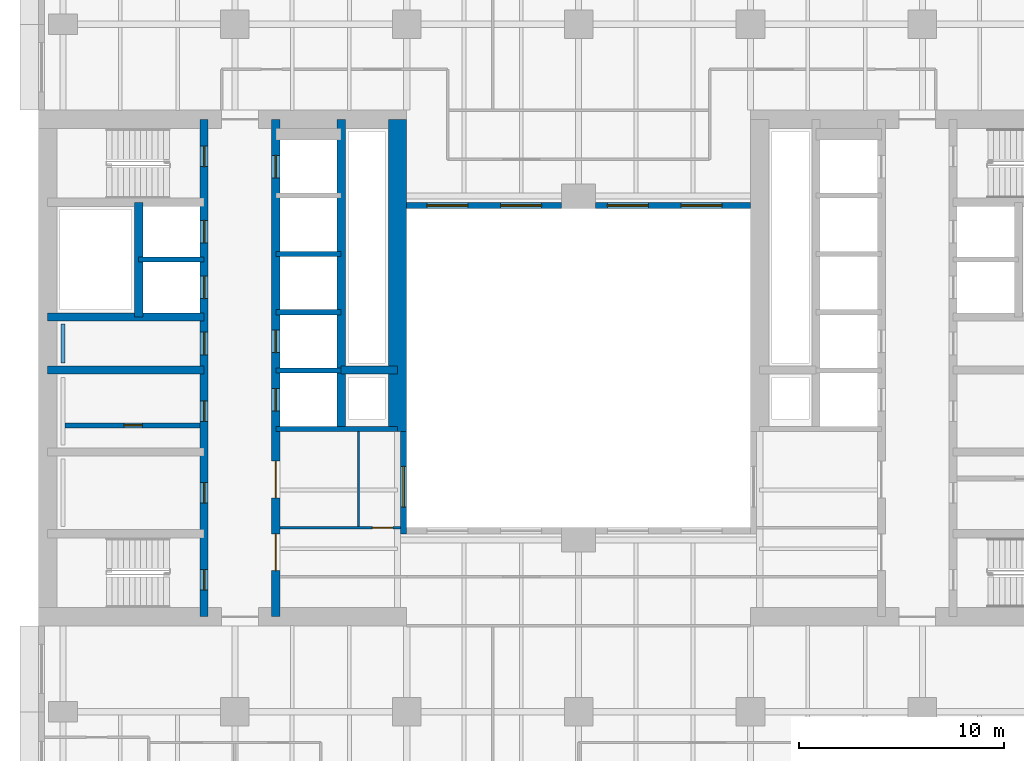
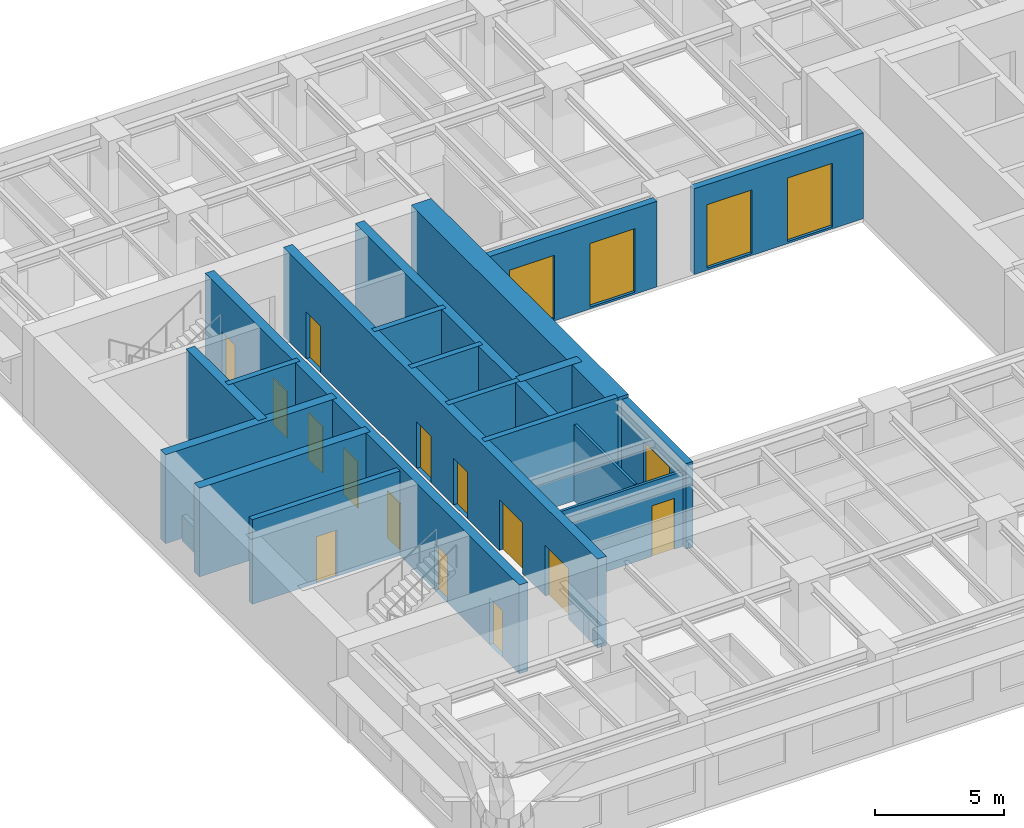
# One storey, part 4 of 11: 20 walls, 14 doors, 5 windows, 19 openings.
"""IFC4 building model written with IfcOpenShell, lengths in metres."""

import ifcopenshell
import ifcopenshell.guid

model = None  # the IFC model being written
_history = None  # IfcOwnerHistory: only IFC2X3 demands one
_inside = {}  # id of a spatial element -> (the spatial element, [elements in it])
_under = {}  # id of a project, library or spatial element -> (it, [spatial elements below it])
_declared = {}  # id of a project -> (the project, [libraries it declares])
_typed = {}  # id of a type object -> (the type object, [elements of that type])
_made_of = {}  # id of a material, layer set ... -> (it, [elements and type objects made of it])


def new_model(schema):
    """Start an empty IFC model of exactly this schema.

    Asked for "IFC4X3", IfcOpenShell would pick the latest addendum, in which some entities
    have other attributes; the version numbers below select the first issue.
    IFC2X3 requires an IfcOwnerHistory on every rooted entity: one is made here for all.
    """
    global model, _history
    if schema == "IFC4X3":
        model = ifcopenshell.file(schema_version=(4, 3, 0, 0))
    else:
        model = ifcopenshell.file(schema=schema)
    _inside.clear()
    _under.clear()
    _declared.clear()
    _typed.clear()
    _made_of.clear()
    _history = None
    if model.schema == "IFC2X3":
        org = make("IfcOrganization", Name="unknown")
        user = make(
            "IfcPersonAndOrganization",
            ThePerson=make("IfcPerson", FamilyName="unknown"),
            TheOrganization=org,
        )
        app = make(
            "IfcApplication",
            ApplicationDeveloper=org,
            Version="unknown",
            ApplicationFullName="unknown",
            ApplicationIdentifier="unknown",
        )
        _history = make(
            "IfcOwnerHistory",
            OwningUser=user,
            OwningApplication=app,
            ChangeAction="ADDED",
            CreationDate=0,
        )
    return model


def make(cls, **values):
    """One entity of the class cls with the attributes given. An attribute that is None is left unset."""
    return model.create_entity(
        cls, **{name: value for name, value in values.items() if value is not None}
    )


def rooted(cls, **values):
    """An entity with a GlobalId (a new one), such as an element, a storey or a relation."""
    return make(cls, GlobalId=ifcopenshell.guid.new(), OwnerHistory=_history, **values)


def si_unit(unit_type, name, prefix=None):
    """IfcSIUnit, for example si_unit("LENGTHUNIT", "METRE", prefix="MILLI")."""
    return make("IfcSIUnit", UnitType=unit_type, Prefix=prefix, Name=name)


def assignment(units):
    """IfcUnitAssignment: the units of a project."""
    return None if units is None else make("IfcUnitAssignment", Units=units)


def point(xyz):
    """IfcCartesianPoint."""
    return None if xyz is None else make("IfcCartesianPoint", Coordinates=xyz)


def direction(xyz):
    """IfcDirection."""
    return None if xyz is None else make("IfcDirection", DirectionRatios=xyz)


def frame(location, z_axis=None, x_axis=None):
    """IfcAxis2Placement3D, a coordinate frame: its origin and axes. An axis left out is left unset."""
    return make(
        "IfcAxis2Placement3D",
        Location=point(location),
        Axis=direction(z_axis),
        RefDirection=direction(x_axis),
    )


def frame_2d(location, x_axis=None):
    """IfcAxis2Placement2D, a coordinate frame in the plane: its origin and x axis."""
    return make(
        "IfcAxis2Placement2D", Location=point(location), RefDirection=direction(x_axis)
    )


def origin():
    """The frame at (0, 0, 0) with its axes left unset."""
    return frame((0.0, 0.0, 0.0))


def place(relative_to, where):
    """IfcLocalPlacement: puts the frame where relative to a parent placement (None: the world)."""
    return make(
        "IfcLocalPlacement", PlacementRelTo=relative_to, RelativePlacement=where
    )


def context(
    kind, dimensions, precision=None, world=None, true_north=None, identifier=None
):
    """IfcGeometricRepresentationContext, for example the 3D "Model" context."""
    return make(
        "IfcGeometricRepresentationContext",
        ContextIdentifier=identifier,
        ContextType=kind,
        CoordinateSpaceDimension=dimensions,
        Precision=precision,
        WorldCoordinateSystem=world,
        TrueNorth=true_north,
    )


def subcontext(parent, identifier, kind, view, scale=None):
    """IfcGeometricRepresentationSubContext, for example "Body" below "Model"."""
    return make(
        "IfcGeometricRepresentationSubContext",
        ContextIdentifier=identifier,
        ContextType=kind,
        ParentContext=parent,
        TargetScale=scale,
        TargetView=view,
    )


def project(units=None, contexts=None):
    """IfcProject with its units and contexts."""
    return rooted(
        "IfcProject",
        Name="project",
        RepresentationContexts=contexts,
        UnitsInContext=assignment(units),
    )


def spatial(cls, under=None, at=None, **own):
    """A site, building, storey or space (cls), placed at a placement, below another one or the project."""
    s = rooted(cls, ObjectPlacement=at, **own)
    if under is not None:
        _under.setdefault(under.id(), (under, []))[1].append(s)
    return s


def profile(cls, at=None, kind="AREA", **sizes):
    """A parametric profile (cls). Its sizes go by their IFC names, for example OverallWidth=200.0."""
    return make(cls, ProfileType=kind, Position=at, **sizes)


def rectangle(**sizes):
    """IfcRectangleProfileDef."""
    return profile("IfcRectangleProfileDef", **sizes)


def extrude(swept, where, along, depth):
    """IfcExtrudedAreaSolid: the profile swept, set in the frame where, extruded along a direction by depth."""
    return make(
        "IfcExtrudedAreaSolid",
        SweptArea=swept,
        Position=where,
        ExtrudedDirection=direction(along),
        Depth=depth,
    )


def shape(context_of_items, identifier, shape_type, items):
    """IfcShapeRepresentation: the items that make up one representation, for example the "Body"."""
    return make(
        "IfcShapeRepresentation",
        ContextOfItems=context_of_items,
        RepresentationIdentifier=identifier,
        RepresentationType=shape_type,
        Items=items,
    )


def material(Name=None, Category=None):
    """IfcMaterial."""
    return make("IfcMaterial", Name=Name, Category=Category)


def layer(
    of_material, thickness, ventilated=None, Name=None, Category=None, Priority=None
):
    """IfcMaterialLayer: one layer of a wall or slab, of a material (None: an air gap)."""
    return make(
        "IfcMaterialLayer",
        Material=of_material,
        LayerThickness=thickness,
        IsVentilated=ventilated,
        Name=Name,
        Category=Category,
        Priority=Priority,
    )


def layer_set(layers, Name=None):
    """IfcMaterialLayerSet."""
    return make("IfcMaterialLayerSet", MaterialLayers=layers, LayerSetName=Name)


def made_of(thing, what):
    """Note that an element or type object is made of a material, layer set ...; save() writes the relation."""
    if what is not None:
        _made_of.setdefault(what.id(), (what, []))[1].append(thing)
    return thing


def type_object(cls, material=None, **own):
    """A type object (cls), such as IfcWallType, which elements share."""
    return made_of(rooted(cls, **own), material)


def element(
    cls,
    number,
    at=None,
    inside=None,
    cuts=None,
    type_object=None,
    material=None,
    context=None,
    identifier="Body",
    shape_type=None,
    held_by="IfcProductDefinitionShape",
    body=None,
    shapes=None,
    **own,
):
    """One element of the class cls, such as IfcWall. Its Tag is "e" and its number.

    at: its placement. inside: the storey or other place that contains it. cuts: it is an
    opening in that element (IfcRelVoidsElement). A single representation is given by context,
    identifier, shape_type and body (its items); several are given by shapes. held_by: the class
    of the entity that holds the representations. save() writes the other relations.
    """
    e = rooted(cls, Tag="e%d" % number, ObjectPlacement=at, **own)
    if body is not None:
        shapes = [shape(context, identifier, shape_type, body)]
    if shapes is not None:
        e.Representation = make(held_by, Representations=shapes)
    if inside is not None:
        _inside.setdefault(inside.id(), (inside, []))[1].append(e)
    if cuts is not None:
        rooted(
            "IfcRelVoidsElement", RelatingBuildingElement=cuts, RelatedOpeningElement=e
        )
    if type_object is not None:
        _typed.setdefault(type_object.id(), (type_object, []))[1].append(e)
    return made_of(e, material)


def fill(opening, filler):
    """IfcRelFillsElement: the door or window that sits in an opening."""
    return rooted(
        "IfcRelFillsElement",
        RelatingOpeningElement=opening,
        RelatedBuildingElement=filler,
    )


def aggregate(whole, parts):
    """IfcRelAggregates: a whole, such as a stair, and the parts it consists of."""
    return rooted("IfcRelAggregates", RelatingObject=whole, RelatedObjects=parts)


def save(model, path):
    """Write the relations noted so far, then the file.

    IfcRelAggregates (storeys below a building ...), IfcRelContainedInSpatialStructure (elements
    in a storey), IfcRelDefinesByType, IfcRelAssociatesMaterial and IfcRelDeclares: one each for
    every whole, place, type object, material and project.
    """
    for whole, parts in _under.values():
        aggregate(whole, parts)
    for where, things in _inside.values():
        rooted(
            "IfcRelContainedInSpatialStructure",
            RelatedElements=things,
            RelatingStructure=where,
        )
    for kind, things in _typed.values():
        rooted("IfcRelDefinesByType", RelatedObjects=things, RelatingType=kind)
    for what, things in _made_of.values():
        rooted("IfcRelAssociatesMaterial", RelatedObjects=things, RelatingMaterial=what)
    for by, libraries in _declared.values():
        rooted("IfcRelDeclares", RelatingContext=by, RelatedDefinitions=libraries)
    model.write(path)


model = new_model("IFC4")

# Units and contexts
model_context = context("Model", 3, precision=1e-05, world=origin(), true_north=direction((0.0, 1.0)))
body_context = subcontext(model_context, "Body", "Model", "MODEL_VIEW")
ifc_project = project(units=[si_unit("LENGTHUNIT", "METRE"), si_unit("AREAUNIT", "SQUARE_METRE"), si_unit("VOLUMEUNIT", "CUBIC_METRE"), si_unit("PLANEANGLEUNIT", "RADIAN"), si_unit("MASSUNIT", "GRAM", prefix="KILO")], contexts=[model_context])

# Site, building, storey
site_placement = place(None, origin())
site = spatial("IfcSite", under=ifc_project, at=site_placement, CompositionType="ELEMENT")
building_placement = place(site_placement, origin())
building = spatial("IfcBuilding", under=site, at=building_placement, Name="Claustro Exchange Tower", CompositionType="ELEMENT")
storey_placement = place(building_placement, frame((0.0, 0.0, 147.0)))
storey = spatial("IfcBuildingStorey", under=building, at=storey_placement, Name="L33", CompositionType="ELEMENT", Elevation=147.0)

# Wall, opening, door
ifc_material_1 = material(Name="Laminated glass in aluminium frame", Category="aluminium")
ifc_layer_1 = layer(ifc_material_1, 0.1201171875)
ifc_layer_set_1 = layer_set([ifc_layer_1], Name="Laminated glass in aluminium frame")
wall_type_1 = type_object("IfcWallType", Name="P2 120 glazed partition", PredefinedType="PARTITIONING", material=ifc_layer_set_1)
wall_1_placement = place(storey_placement, frame((10.597900390625, 17.39990234375, 0.0), z_axis=(0.0, 0.0, 1.0), x_axis=(1.0, 0.0, 0.0)))
wall_1 = element("IfcWall", 1, at=wall_1_placement, inside=storey, type_object=wall_type_1, Name="Partition P2 L33", PredefinedType="PARTITIONING", context=body_context, shape_type="SweptSolid", body=[
    extrude(rectangle(XDim=5.904052734375, YDim=0.1201171875, at=frame_2d((2.9521484375, 0.0))), origin(), (0.0, 0.0, 1.0), 3.550048828125),
])
opening_1_placement = place(wall_1_placement, frame((4.52392578125, 0.0, 0.0)))
opening_1 = element("IfcOpeningElement", 2, at=opening_1_placement, cuts=wall_1, Name="Opening D7", PredefinedType="OPENING", context=body_context, shape_type="SweptSolid", body=[
    extrude(rectangle(XDim=1.0, YDim=2.39990234375, at=frame_2d((0.5, 1.199951171875))), frame((0.0, 0.070068359375, 0.0), z_axis=(0.0, -1.0, 0.0), x_axis=(1.0, 0.0, 0.0)), (0.0, 0.0, 1.0), 0.14013671875),
])
ifc_material_2 = material(Name="Glass door in aluminium frame", Category="aluminium")
door_type_1 = type_object("IfcDoorType", Name="D7 1000 x 2400 glazed door", OperationType="SINGLE_SWING_LEFT", PredefinedType="DOOR", material=ifc_material_2)
door_1_placement = place(opening_1_placement, origin())
door_1 = element("IfcDoor", 3, at=door_1_placement, inside=storey, type_object=door_type_1, Name="Door D7 L33", OperationType="SINGLE_SWING_LEFT", OverallHeight=2.39990234375, OverallWidth=1.0, PredefinedType="DOOR", context=body_context, shape_type="SweptSolid", body=[
    extrude(rectangle(XDim=1.0, YDim=2.39990234375, at=frame_2d((0.5, 1.199951171875))), frame((0.0, 0.02490234375, 0.0), z_axis=(0.0, -1.0, 0.0), x_axis=(1.0, 0.0, 0.0)), (0.0, 0.0, 1.0), 0.050048828125),
])
fill(opening_1, door_1)

# Wall
wall_2_placement = place(storey_placement, frame((14.444091796875, 17.4580078125, 0.0), z_axis=(0.0, 0.0, 1.0), x_axis=(0.0, 1.0, 0.0)))
element("IfcWall", 4, at=wall_2_placement, inside=storey, type_object=wall_type_1, Name="Partition P2 L33", PredefinedType="PARTITIONING", context=body_context, shape_type="SweptSolid", body=[
    extrude(rectangle(XDim=4.64404296875, YDim=0.1201171875, at=frame_2d((2.322021484375, 0.0))), origin(), (0.0, 0.0, 1.0), 3.60009765625),
])

# Wall, opening, door
ifc_material_3 = material(Name="Concrete blockwork, rendered", Category="masonry")
ifc_layer_2 = layer(ifc_material_3, 0.25)
ifc_layer_set_2 = layer_set([ifc_layer_2], Name="Concrete blockwork, rendered")
wall_type_2 = type_object("IfcWallType", Name="P4 250 blockwork wall", PredefinedType="PARTITIONING", material=ifc_layer_set_2)
wall_3_placement = place(storey_placement, frame((0.10009765625, 22.39990234375, 0.0), z_axis=(0.0, 0.0, 1.0), x_axis=(1.0, 0.0, 0.0)))
wall_3 = element("IfcWall", 5, at=wall_3_placement, inside=storey, type_object=wall_type_2, Name="Partition P4 L33", PredefinedType="PARTITIONING", context=body_context, shape_type="SweptSolid", body=[
    extrude(rectangle(XDim=6.599853515625, YDim=0.25, at=frame_2d((3.2998046875, 0.0))), origin(), (0.0, 0.0, 1.0), 4.0),
])
opening_2_placement = place(wall_3_placement, frame((2.875, 0.0, 0.0)))
opening_2 = element("IfcOpeningElement", 6, at=opening_2_placement, cuts=wall_3, Name="Opening D5", PredefinedType="OPENING", context=body_context, shape_type="SweptSolid", body=[
    extrude(rectangle(XDim=0.89990234375, YDim=2.199951171875, at=frame_2d((0.449951171875, 1.10009765625))), frame((0.0, 0.135009765625, 0.0), z_axis=(0.0, -1.0, 0.0), x_axis=(1.0, 0.0, 0.0)), (0.0, 0.0, 1.0), 0.27001953125),
])
ifc_material_4 = material(Name="Steel door, painted", Category="steel")
door_type_2 = type_object("IfcDoorType", Name="D5 900 x 2200 store door", OperationType="SINGLE_SWING_LEFT", PredefinedType="DOOR", material=ifc_material_4)
door_2_placement = place(opening_2_placement, frame((0.89990234375, 0.0, 0.0), z_axis=(0.0, 0.0, 1.0), x_axis=(-1.0, 0.0, 0.0)))
door_2 = element("IfcDoor", 7, at=door_2_placement, inside=storey, type_object=door_type_2, Name="Store door D5 L33", OperationType="SINGLE_SWING_RIGHT", OverallHeight=2.199951171875, OverallWidth=0.89990234375, PredefinedType="DOOR", context=body_context, shape_type="SweptSolid", body=[
    extrude(rectangle(XDim=0.89990234375, YDim=2.199951171875, at=frame_2d((0.449951171875, 1.10009765625))), frame((0.0, 0.02490234375, 0.0), z_axis=(0.0, -1.0, 0.0), x_axis=(1.0, 0.0, 0.0)), (0.0, 0.0, 1.0), 0.050048828125),
])
fill(opening_2, door_2)

# Wall, opening, window
ifc_material_5 = material(Name="Concrete HA-40 (C40/50), precast, white cement, acid-etched", Category="concrete")
ifc_layer_3 = layer(ifc_material_5, 0.300048828125)
ifc_layer_set_3 = layer_set([ifc_layer_3], Name="Concrete HA-40 (C40/50), precast, white cement, acid-etched")
wall_type_3 = type_object("IfcWallType", Name="PC1 300 precast concrete pier panel", PredefinedType="SOLIDWALL", material=ifc_layer_set_3)
wall_4_placement = place(storey_placement, frame((16.64990234375, 17.10009765625, 0.0), z_axis=(0.0, 0.0, 1.0), x_axis=(0.0, 1.0, 0.0)))
wall_4 = element("IfcWall", 8, at=wall_4_placement, inside=storey, type_object=wall_type_3, Name="Precast pier panel PC1 L33", PredefinedType="SOLIDWALL", context=body_context, shape_type="SweptSolid", body=[
    extrude(rectangle(XDim=5.0, YDim=0.300048828125, at=frame_2d((2.5, 0.0))), origin(), (0.0, 0.0, 1.0), 4.050048828125),
])
opening_3_placement = place(wall_4_placement, frame((1.300048828125, 0.0, 0.10009765625)))
opening_3 = element("IfcOpeningElement", 9, at=opening_3_placement, cuts=wall_4, Name="Opening W-A", PredefinedType="OPENING", context=body_context, shape_type="SweptSolid", body=[
    extrude(rectangle(XDim=2.0, YDim=3.0, at=frame_2d((1.0, 1.5))), frame((0.0, 0.159912109375, 0.0), z_axis=(0.0, -1.0, 0.0), x_axis=(1.0, 0.0, 0.0)), (0.0, 0.0, 1.0), 0.320068359375),
])
ifc_material_6 = material(Name="Aluminium frame, clear double glazing", Category="aluminium")
window_type = type_object("IfcWindowType", Name="W-A 2000 x 3000 arcade window", PartitioningType="SINGLE_PANEL", PredefinedType="WINDOW", material=ifc_material_6)
window_1_placement = place(opening_3_placement, origin())
window_1 = element("IfcWindow", 10, at=window_1_placement, inside=storey, type_object=window_type, Name="Window W-A L33", OverallHeight=3.0, OverallWidth=2.0, PartitioningType="SINGLE_PANEL", PredefinedType="WINDOW", context=body_context, shape_type="SweptSolid", body=[
    extrude(rectangle(XDim=2.0, YDim=3.0, at=frame_2d((1.0, 1.5))), frame((0.0, 0.030029296875, 0.0), z_axis=(0.0, -1.0, 0.0), x_axis=(1.0, 0.0, 0.0)), (0.0, 0.0, 1.0), 0.06005859375),
])
fill(opening_3, window_1)

# Wall, openings, windows
wall_5_placement = place(storey_placement, frame((16.800048828125, 33.14990234375, 0.0), z_axis=(0.0, 0.0, 1.0), x_axis=(1.0, 0.0, 0.0)))
wall_5 = element("IfcWall", 11, at=wall_5_placement, inside=storey, type_object=wall_type_3, Name="Precast pier panel PC1 L33", PredefinedType="SOLIDWALL", context=body_context, shape_type="SweptSolid", body=[
    extrude(rectangle(XDim=7.574951171875, YDim=0.300048828125, at=frame_2d((3.78759765625, 0.0))), origin(), (0.0, 0.0, 1.0), 4.050048828125),
])
opening_4_placement = place(wall_5_placement, frame((0.987548828125, 0.0, 0.10009765625)))
opening_4 = element("IfcOpeningElement", 12, at=opening_4_placement, cuts=wall_5, Name="Opening W-A", PredefinedType="OPENING", context=body_context, shape_type="SweptSolid", body=[
    extrude(rectangle(XDim=2.0, YDim=3.0, at=frame_2d((1.0, 1.5))), frame((0.0, 0.159912109375, 0.0), z_axis=(0.0, -1.0, 0.0), x_axis=(1.0, 0.0, 0.0)), (0.0, 0.0, 1.0), 0.320068359375),
])
opening_5_placement = place(wall_5_placement, frame((4.58740234375, 0.0, 0.10009765625)))
opening_5 = element("IfcOpeningElement", 13, at=opening_5_placement, cuts=wall_5, Name="Opening W-A", PredefinedType="OPENING", context=body_context, shape_type="SweptSolid", body=[
    extrude(rectangle(XDim=2.0, YDim=3.0, at=frame_2d((1.0, 1.5))), frame((0.0, 0.159912109375, 0.0), z_axis=(0.0, -1.0, 0.0), x_axis=(1.0, 0.0, 0.0)), (0.0, 0.0, 1.0), 0.320068359375),
])
window_2_placement = place(opening_4_placement, origin())
window_2 = element("IfcWindow", 14, at=window_2_placement, inside=storey, type_object=window_type, Name="Window W-A L33", OverallHeight=3.0, OverallWidth=2.0, PartitioningType="SINGLE_PANEL", PredefinedType="WINDOW", context=body_context, shape_type="SweptSolid", body=[
    extrude(rectangle(XDim=2.0, YDim=3.0, at=frame_2d((1.0, 1.5))), frame((0.0, 0.030029296875, 0.0), z_axis=(0.0, -1.0, 0.0), x_axis=(1.0, 0.0, 0.0)), (0.0, 0.0, 1.0), 0.06005859375),
])
fill(opening_4, window_2)
window_3_placement = place(opening_5_placement, origin())
window_3 = element("IfcWindow", 15, at=window_3_placement, inside=storey, type_object=window_type, Name="Window W-A L33", OverallHeight=3.0, OverallWidth=2.0, PartitioningType="SINGLE_PANEL", PredefinedType="WINDOW", context=body_context, shape_type="SweptSolid", body=[
    extrude(rectangle(XDim=2.0, YDim=3.0, at=frame_2d((1.0, 1.5))), frame((0.0, 0.030029296875, 0.0), z_axis=(0.0, -1.0, 0.0), x_axis=(1.0, 0.0, 0.0)), (0.0, 0.0, 1.0), 0.06005859375),
])
fill(opening_5, window_3)

wall_6_placement = place(storey_placement, frame((26.02490234375, 33.14990234375, 0.0), z_axis=(0.0, 0.0, 1.0), x_axis=(1.0, 0.0, 0.0)))
wall_6 = element("IfcWall", 16, at=wall_6_placement, inside=storey, type_object=wall_type_3, Name="Precast pier panel PC1 L33", PredefinedType="SOLIDWALL", context=body_context, shape_type="SweptSolid", body=[
    extrude(rectangle(XDim=7.5751953125, YDim=0.300048828125, at=frame_2d((3.78759765625, 0.0))), origin(), (0.0, 0.0, 1.0), 4.050048828125),
])
opening_6_placement = place(wall_6_placement, frame((0.58740234375, 0.0, 0.10009765625)))
opening_6 = element("IfcOpeningElement", 17, at=opening_6_placement, cuts=wall_6, Name="Opening W-A", PredefinedType="OPENING", context=body_context, shape_type="SweptSolid", body=[
    extrude(rectangle(XDim=2.0, YDim=3.0, at=frame_2d((1.0, 1.5))), frame((0.0, 0.159912109375, 0.0), z_axis=(0.0, -1.0, 0.0), x_axis=(1.0, 0.0, 0.0)), (0.0, 0.0, 1.0), 0.320068359375),
])
opening_7_placement = place(wall_6_placement, frame((4.1875, 0.0, 0.10009765625)))
opening_7 = element("IfcOpeningElement", 18, at=opening_7_placement, cuts=wall_6, Name="Opening W-A", PredefinedType="OPENING", context=body_context, shape_type="SweptSolid", body=[
    extrude(rectangle(XDim=2.0, YDim=3.0, at=frame_2d((1.0, 1.5))), frame((0.0, 0.159912109375, 0.0), z_axis=(0.0, -1.0, 0.0), x_axis=(1.0, 0.0, 0.0)), (0.0, 0.0, 1.0), 0.320068359375),
])
window_4_placement = place(opening_6_placement, origin())
window_4 = element("IfcWindow", 19, at=window_4_placement, inside=storey, type_object=window_type, Name="Window W-A L33", OverallHeight=3.0, OverallWidth=2.0, PartitioningType="SINGLE_PANEL", PredefinedType="WINDOW", context=body_context, shape_type="SweptSolid", body=[
    extrude(rectangle(XDim=2.0, YDim=3.0, at=frame_2d((1.0, 1.5))), frame((0.0, 0.030029296875, 0.0), z_axis=(0.0, -1.0, 0.0), x_axis=(1.0, 0.0, 0.0)), (0.0, 0.0, 1.0), 0.06005859375),
])
fill(opening_6, window_4)
window_5_placement = place(opening_7_placement, origin())
window_5 = element("IfcWindow", 20, at=window_5_placement, inside=storey, type_object=window_type, Name="Window W-A L33", OverallHeight=3.0, OverallWidth=2.0, PartitioningType="SINGLE_PANEL", PredefinedType="WINDOW", context=body_context, shape_type="SweptSolid", body=[
    extrude(rectangle(XDim=2.0, YDim=3.0, at=frame_2d((1.0, 1.5))), frame((0.0, 0.030029296875, 0.0), z_axis=(0.0, -1.0, 0.0), x_axis=(1.0, 0.0, 0.0)), (0.0, 0.0, 1.0), 0.06005859375),
])
fill(opening_7, window_5)

# Walls
ifc_material_7 = material(Name="Gypsum board on steel studs, tiled", Category="steel")
ifc_layer_4 = layer(ifc_material_7, 0.199951171875)
ifc_layer_set_4 = layer_set([ifc_layer_4], Name="Gypsum board on steel studs, tiled")
wall_type_4 = type_object("IfcWallType", Name="PW1 200 WC duct wall", PredefinedType="PLUMBINGWALL", material=ifc_layer_set_4)
wall_7_placement = place(storey_placement, frame((0.0, 25.449951171875, 0.0), z_axis=(0.0, 0.0, 1.0), x_axis=(0.0, 1.0, 0.0)))
element("IfcWall", 21, at=wall_7_placement, inside=storey, type_object=wall_type_4, Name="WC duct wall PW1 L33", PredefinedType="PLUMBINGWALL", context=body_context, shape_type="SweptSolid", body=[
    extrude(rectangle(XDim=1.900146484375, YDim=0.199951171875, at=frame_2d((0.9501953125, 0.0))), origin(), (0.0, 0.0, 1.0), 1.199951171875),
])
ifc_material_8 = material(Name="Concrete HA-70 (C70/85)", Category="concrete")
ifc_layer_5 = layer(ifc_material_8, 0.89990234375)
ifc_layer_set_5 = layer_set([ifc_layer_5], Name="Concrete HA-70 (C70/85)")
wall_type_5 = type_object("IfcWallType", Name="SW1X 900 exposed core shear wall, board-marked face", PredefinedType="SHEAR", material=ifc_layer_set_5)
wall_8_placement = place(storey_placement, frame((16.35009765625, 22.10009765625, 0.0), z_axis=(0.0, 0.0, 1.0), x_axis=(0.0, 1.0, 0.0)))
element("IfcWall", 22, at=wall_8_placement, inside=storey, type_object=wall_type_5, Name="Core wall SW1X W core E face L33", PredefinedType="SHEAR", context=body_context, shape_type="SweptSolid", body=[
    extrude(rectangle(XDim=15.25, YDim=0.89990234375, at=frame_2d((7.625, 0.0))), origin(), (0.0, 0.0, 1.0), 4.199951171875),
])

# Wall, openings, doors
ifc_material_9 = material(Name="Concrete HA-50 (C50/60)", Category="concrete")
ifc_layer_6 = layer(ifc_material_9, 0.39990234375)
ifc_layer_set_6 = layer_set([ifc_layer_6], Name="Concrete HA-50 (C50/60)")
wall_type_6 = type_object("IfcWallType", Name="SW4 400 internal core wall", PredefinedType="SHEAR", material=ifc_layer_set_6)
wall_9_placement = place(storey_placement, frame((6.89990234375, 13.050048828125, 0.0), z_axis=(0.0, 0.0, 1.0), x_axis=(0.0, 1.0, 0.0)))
wall_9 = element("IfcWall", 23, at=wall_9_placement, inside=storey, type_object=wall_type_6, Name="Internal core wall SW4 W core L33", PredefinedType="SHEAR", context=body_context, shape_type="SweptSolid", body=[
    extrude(rectangle(XDim=24.300048828125, YDim=0.39990234375, at=frame_2d((12.14990234375, 0.0))), origin(), (0.0, 0.0, 1.0), 4.199951171875),
])
opening_8_placement = place(wall_9_placement, frame((1.300048828125, 0.0, 0.0)))
opening_8 = element("IfcOpeningElement", 24, at=opening_8_placement, cuts=wall_9, Name="Opening D4", PredefinedType="OPENING", context=body_context, shape_type="SweptSolid", body=[
    extrude(rectangle(XDim=1.0, YDim=2.199951171875, at=frame_2d((0.5, 1.10009765625))), frame((0.0, 0.2099609375, 0.0), z_axis=(0.0, -1.0, 0.0), x_axis=(1.0, 0.0, 0.0)), (0.0, 0.0, 1.0), 0.419921875),
])
opening_9_placement = place(wall_9_placement, frame((22.0, 0.0, 0.0)))
opening_9 = element("IfcOpeningElement", 25, at=opening_9_placement, cuts=wall_9, Name="Opening D4", PredefinedType="OPENING", context=body_context, shape_type="SweptSolid", body=[
    extrude(rectangle(XDim=1.0, YDim=2.199951171875, at=frame_2d((0.5, 1.10009765625))), frame((0.0, 0.2099609375, 0.0), z_axis=(0.0, -1.0, 0.0), x_axis=(1.0, 0.0, 0.0)), (0.0, 0.0, 1.0), 0.419921875),
])
opening_10_placement = place(wall_9_placement, frame((5.550048828125, 0.0, 0.0)))
opening_10 = element("IfcOpeningElement", 26, at=opening_10_placement, cuts=wall_9, Name="Opening D1", PredefinedType="OPENING", context=body_context, shape_type="SweptSolid", body=[
    extrude(rectangle(XDim=1.0, YDim=2.199951171875, at=frame_2d((0.5, 1.10009765625))), frame((0.0, 0.2099609375, 0.0), z_axis=(0.0, -1.0, 0.0), x_axis=(1.0, 0.0, 0.0)), (0.0, 0.0, 1.0), 0.419921875),
])
opening_11_placement = place(wall_9_placement, frame((9.550048828125, 0.0, 0.0)))
opening_11 = element("IfcOpeningElement", 27, at=opening_11_placement, cuts=wall_9, Name="Opening D1", PredefinedType="OPENING", context=body_context, shape_type="SweptSolid", body=[
    extrude(rectangle(XDim=1.0, YDim=2.199951171875, at=frame_2d((0.5, 1.10009765625))), frame((0.0, 0.2099609375, 0.0), z_axis=(0.0, -1.0, 0.0), x_axis=(1.0, 0.0, 0.0)), (0.0, 0.0, 1.0), 0.419921875),
])
opening_12_placement = place(wall_9_placement, frame((12.800048828125, 0.0, 0.0)))
opening_12 = element("IfcOpeningElement", 28, at=opening_12_placement, cuts=wall_9, Name="Opening D10", PredefinedType="OPENING", context=body_context, shape_type="SweptSolid", body=[
    extrude(rectangle(XDim=1.10009765625, YDim=2.199951171875, at=frame_2d((0.550048828125, 1.10009765625))), frame((0.0, 0.2099609375, 0.0), z_axis=(0.0, -1.0, 0.0), x_axis=(1.0, 0.0, 0.0)), (0.0, 0.0, 1.0), 0.419921875),
])
opening_13_placement = place(wall_9_placement, frame((15.53759765625, 0.0, 0.0)))
opening_13 = element("IfcOpeningElement", 29, at=opening_13_placement, cuts=wall_9, Name="Opening LD", PredefinedType="OPENING", context=body_context, shape_type="SweptSolid", body=[
    extrude(rectangle(XDim=1.10009765625, YDim=2.199951171875, at=frame_2d((0.550048828125, 1.10009765625))), frame((0.0, 0.2099609375, 0.0), z_axis=(0.0, -1.0, 0.0), x_axis=(1.0, 0.0, 0.0)), (0.0, 0.0, 1.0), 0.419921875),
])
opening_14_placement = place(wall_9_placement, frame((18.262451171875, 0.0, 0.0)))
opening_14 = element("IfcOpeningElement", 30, at=opening_14_placement, cuts=wall_9, Name="Opening LD", PredefinedType="OPENING", context=body_context, shape_type="SweptSolid", body=[
    extrude(rectangle(XDim=1.10009765625, YDim=2.199951171875, at=frame_2d((0.550048828125, 1.10009765625))), frame((0.0, 0.2099609375, 0.0), z_axis=(0.0, -1.0, 0.0), x_axis=(1.0, 0.0, 0.0)), (0.0, 0.0, 1.0), 0.419921875),
])
ifc_material_10 = material(Name="Timber door, oak veneer", Category="wood")
door_type_3 = type_object("IfcDoorType", Name="D1 1000 x 2200 single door", OperationType="SINGLE_SWING_LEFT", PredefinedType="DOOR", material=ifc_material_10)
door_3_placement = place(opening_10_placement, origin())
door_3 = element("IfcDoor", 31, at=door_3_placement, inside=storey, type_object=door_type_3, Name="Door D1 L33", OperationType="SINGLE_SWING_RIGHT", OverallHeight=2.199951171875, OverallWidth=1.0, PredefinedType="DOOR", context=body_context, shape_type="SweptSolid", body=[
    extrude(rectangle(XDim=1.0, YDim=2.199951171875, at=frame_2d((0.5, 1.10009765625))), frame((0.0, 0.02490234375, 0.0), z_axis=(0.0, -1.0, 0.0), x_axis=(1.0, 0.0, 0.0)), (0.0, 0.0, 1.0), 0.050048828125),
])
fill(opening_10, door_3)
door_4_placement = place(opening_11_placement, origin())
door_4 = element("IfcDoor", 32, at=door_4_placement, inside=storey, type_object=door_type_3, Name="Door D1 L33", OperationType="SINGLE_SWING_LEFT", OverallHeight=2.199951171875, OverallWidth=1.0, PredefinedType="DOOR", context=body_context, shape_type="SweptSolid", body=[
    extrude(rectangle(XDim=1.0, YDim=2.199951171875, at=frame_2d((0.5, 1.10009765625))), frame((0.0, 0.02490234375, 0.0), z_axis=(0.0, -1.0, 0.0), x_axis=(1.0, 0.0, 0.0)), (0.0, 0.0, 1.0), 0.050048828125),
])
fill(opening_11, door_4)
ifc_material_11 = material(Name="Timber door, oak veneer", Category="wood")
door_type_4 = type_object("IfcDoorType", Name="D10 1100 x 2200 accessible WC door", OperationType="SINGLE_SWING_LEFT", PredefinedType="DOOR", material=ifc_material_11)
door_5_placement = place(opening_12_placement, frame((1.10009765625, 0.0, 0.0), z_axis=(0.0, 0.0, 1.0), x_axis=(-1.0, 0.0, 0.0)))
door_5 = element("IfcDoor", 33, at=door_5_placement, inside=storey, type_object=door_type_4, Name="Accessible WC door D10 L33", OperationType="SINGLE_SWING_LEFT", OverallHeight=2.199951171875, OverallWidth=1.10009765625, PredefinedType="DOOR", context=body_context, shape_type="SweptSolid", body=[
    extrude(rectangle(XDim=1.10009765625, YDim=2.199951171875, at=frame_2d((0.550048828125, 1.10009765625))), frame((0.0, 0.02490234375, 0.0), z_axis=(0.0, -1.0, 0.0), x_axis=(1.0, 0.0, 0.0)), (0.0, 0.0, 1.0), 0.050048828125),
])
fill(opening_12, door_5)
ifc_material_12 = material(Name="Steel fire door, painted", Category="steel")
door_type_5 = type_object("IfcDoorType", Name="D4 1000 x 2200 fire-rated stair door", OperationType="SINGLE_SWING_LEFT", PredefinedType="DOOR", material=ifc_material_12)
door_6_placement = place(opening_8_placement, origin())
door_6 = element("IfcDoor", 34, at=door_6_placement, inside=storey, type_object=door_type_5, Name="Stair door D4 L33", OperationType="SINGLE_SWING_LEFT", OverallHeight=2.199951171875, OverallWidth=1.0, PredefinedType="DOOR", context=body_context, shape_type="SweptSolid", body=[
    extrude(rectangle(XDim=1.0, YDim=2.199951171875, at=frame_2d((0.5, 1.10009765625))), frame((0.0, 0.02490234375, 0.0), z_axis=(0.0, -1.0, 0.0), x_axis=(1.0, 0.0, 0.0)), (0.0, 0.0, 1.0), 0.050048828125),
])
fill(opening_8, door_6)
door_7_placement = place(opening_9_placement, origin())
door_7 = element("IfcDoor", 35, at=door_7_placement, inside=storey, type_object=door_type_5, Name="Stair door D4 L33", OperationType="SINGLE_SWING_RIGHT", OverallHeight=2.199951171875, OverallWidth=1.0, PredefinedType="DOOR", context=body_context, shape_type="SweptSolid", body=[
    extrude(rectangle(XDim=1.0, YDim=2.199951171875, at=frame_2d((0.5, 1.10009765625))), frame((0.0, 0.02490234375, 0.0), z_axis=(0.0, -1.0, 0.0), x_axis=(1.0, 0.0, 0.0)), (0.0, 0.0, 1.0), 0.050048828125),
])
fill(opening_9, door_7)
ifc_material_13 = material(Name="Stainless steel sliding door", Category="steel")
door_type_6 = type_object("IfcDoorType", Name="LD 1100 x 2200 lift landing door", OperationType="DOUBLE_DOOR_SLIDING", PredefinedType="DOOR", material=ifc_material_13)
door_8_placement = place(opening_13_placement, origin())
door_8 = element("IfcDoor", 36, at=door_8_placement, inside=storey, type_object=door_type_6, Name="Lift landing door LEW1 LD L33", OperationType="DOUBLE_DOOR_SLIDING", OverallHeight=2.199951171875, OverallWidth=1.10009765625, PredefinedType="DOOR", context=body_context, shape_type="SweptSolid", body=[
    extrude(rectangle(XDim=1.10009765625, YDim=2.199951171875, at=frame_2d((0.550048828125, 1.10009765625))), frame((0.0, 0.02490234375, 0.0), z_axis=(0.0, -1.0, 0.0), x_axis=(1.0, 0.0, 0.0)), (0.0, 0.0, 1.0), 0.050048828125),
])
fill(opening_13, door_8)
door_9_placement = place(opening_14_placement, origin())
door_9 = element("IfcDoor", 37, at=door_9_placement, inside=storey, type_object=door_type_6, Name="Lift landing door LEW2 LD L33", OperationType="DOUBLE_DOOR_SLIDING", OverallHeight=2.199951171875, OverallWidth=1.10009765625, PredefinedType="DOOR", context=body_context, shape_type="SweptSolid", body=[
    extrude(rectangle(XDim=1.10009765625, YDim=2.199951171875, at=frame_2d((0.550048828125, 1.10009765625))), frame((0.0, 0.02490234375, 0.0), z_axis=(0.0, -1.0, 0.0), x_axis=(1.0, 0.0, 0.0)), (0.0, 0.0, 1.0), 0.050048828125),
])
fill(opening_14, door_9)

wall_10_placement = place(storey_placement, frame((10.39990234375, 13.050048828125, 0.0), z_axis=(0.0, 0.0, 1.0), x_axis=(0.0, 1.0, 0.0)))
wall_10 = element("IfcWall", 38, at=wall_10_placement, inside=storey, type_object=wall_type_6, Name="Internal core wall SW4 W core L33", PredefinedType="SHEAR", context=body_context, shape_type="SweptSolid", body=[
    extrude(rectangle(XDim=24.300048828125, YDim=0.39990234375, at=frame_2d((12.14990234375, 0.0))), origin(), (0.0, 0.0, 1.0), 4.199951171875),
])
opening_15_placement = place(wall_10_placement, frame((10.050048828125, 0.0, 0.0)))
opening_15 = element("IfcOpeningElement", 39, at=opening_15_placement, cuts=wall_10, Name="Opening LD", PredefinedType="OPENING", context=body_context, shape_type="SweptSolid", body=[
    extrude(rectangle(XDim=1.10009765625, YDim=2.199951171875, at=frame_2d((0.550048828125, 1.10009765625))), frame((0.0, 0.2099609375, 0.0), z_axis=(0.0, -1.0, 0.0), x_axis=(1.0, 0.0, 0.0)), (0.0, 0.0, 1.0), 0.419921875),
])
opening_16_placement = place(wall_10_placement, frame((12.89990234375, 0.0, 0.0)))
opening_16 = element("IfcOpeningElement", 40, at=opening_16_placement, cuts=wall_10, Name="Opening LD", PredefinedType="OPENING", context=body_context, shape_type="SweptSolid", body=[
    extrude(rectangle(XDim=1.10009765625, YDim=2.199951171875, at=frame_2d((0.550048828125, 1.10009765625))), frame((0.0, 0.2099609375, 0.0), z_axis=(0.0, -1.0, 0.0), x_axis=(1.0, 0.0, 0.0)), (0.0, 0.0, 1.0), 0.419921875),
])
opening_17_placement = place(wall_10_placement, frame((21.449951171875, 0.0, 0.0)))
opening_17 = element("IfcOpeningElement", 41, at=opening_17_placement, cuts=wall_10, Name="Opening LD", PredefinedType="OPENING", context=body_context, shape_type="SweptSolid", body=[
    extrude(rectangle(XDim=1.10009765625, YDim=2.199951171875, at=frame_2d((0.550048828125, 1.10009765625))), frame((0.0, 0.2099609375, 0.0), z_axis=(0.0, -1.0, 0.0), x_axis=(1.0, 0.0, 0.0)), (0.0, 0.0, 1.0), 0.419921875),
])
opening_18_placement = place(wall_10_placement, frame((2.25, 0.0, 0.0)))
opening_18 = element("IfcOpeningElement", 42, at=opening_18_placement, cuts=wall_10, Name="Opening D3", PredefinedType="OPENING", context=body_context, shape_type="SweptSolid", body=[
    extrude(rectangle(XDim=1.800048828125, YDim=2.39990234375, at=frame_2d((0.89990234375, 1.199951171875))), frame((0.0, 0.2099609375, 0.0), z_axis=(0.0, -1.0, 0.0), x_axis=(1.0, 0.0, 0.0)), (0.0, 0.0, 1.0), 0.419921875),
])
opening_19_placement = place(wall_10_placement, frame((5.800048828125, 0.0, 0.0)))
opening_19 = element("IfcOpeningElement", 43, at=opening_19_placement, cuts=wall_10, Name="Opening D3", PredefinedType="OPENING", context=body_context, shape_type="SweptSolid", body=[
    extrude(rectangle(XDim=1.800048828125, YDim=2.39990234375, at=frame_2d((0.89990234375, 1.199951171875))), frame((0.0, 0.2099609375, 0.0), z_axis=(0.0, -1.0, 0.0), x_axis=(1.0, 0.0, 0.0)), (0.0, 0.0, 1.0), 0.419921875),
])
ifc_material_14 = material(Name="Steel fire door, painted", Category="steel")
door_type_7 = type_object("IfcDoorType", Name="D3 1800 x 2400 fire-rated lobby double door", OperationType="DOUBLE_DOOR_SINGLE_SWING", PredefinedType="DOOR", material=ifc_material_14)
door_10_placement = place(opening_18_placement, origin())
door_10 = element("IfcDoor", 44, at=door_10_placement, inside=storey, type_object=door_type_7, Name="Core zone door D3 L33", OperationType="DOUBLE_DOOR_SINGLE_SWING", OverallHeight=2.39990234375, OverallWidth=1.800048828125, PredefinedType="DOOR", context=body_context, shape_type="SweptSolid", body=[
    extrude(rectangle(XDim=1.800048828125, YDim=2.39990234375, at=frame_2d((0.89990234375, 1.199951171875))), frame((0.0, 0.02490234375, 0.0), z_axis=(0.0, -1.0, 0.0), x_axis=(1.0, 0.0, 0.0)), (0.0, 0.0, 1.0), 0.050048828125),
])
fill(opening_18, door_10)
door_11_placement = place(opening_19_placement, frame((1.800048828125, 0.0, 0.0), z_axis=(0.0, 0.0, 1.0), x_axis=(-1.0, 0.0, 0.0)))
door_11 = element("IfcDoor", 45, at=door_11_placement, inside=storey, type_object=door_type_7, Name="Core zone door D3 L33", OperationType="DOUBLE_DOOR_SINGLE_SWING", OverallHeight=2.39990234375, OverallWidth=1.800048828125, PredefinedType="DOOR", context=body_context, shape_type="SweptSolid", body=[
    extrude(rectangle(XDim=1.800048828125, YDim=2.39990234375, at=frame_2d((0.89990234375, 1.199951171875))), frame((0.0, 0.02490234375, 0.0), z_axis=(0.0, -1.0, 0.0), x_axis=(1.0, 0.0, 0.0)), (0.0, 0.0, 1.0), 0.050048828125),
])
fill(opening_19, door_11)
door_12_placement = place(opening_15_placement, origin())
door_12 = element("IfcDoor", 46, at=door_12_placement, inside=storey, type_object=door_type_6, Name="Lift landing door LMW1 LD L33", OperationType="DOUBLE_DOOR_SLIDING", OverallHeight=2.199951171875, OverallWidth=1.10009765625, PredefinedType="DOOR", context=body_context, shape_type="SweptSolid", body=[
    extrude(rectangle(XDim=1.10009765625, YDim=2.199951171875, at=frame_2d((0.550048828125, 1.10009765625))), frame((0.0, 0.02490234375, 0.0), z_axis=(0.0, -1.0, 0.0), x_axis=(1.0, 0.0, 0.0)), (0.0, 0.0, 1.0), 0.050048828125),
])
fill(opening_15, door_12)
door_13_placement = place(opening_16_placement, origin())
door_13 = element("IfcDoor", 47, at=door_13_placement, inside=storey, type_object=door_type_6, Name="Lift landing door LMW2 LD L33", OperationType="DOUBLE_DOOR_SLIDING", OverallHeight=2.199951171875, OverallWidth=1.10009765625, PredefinedType="DOOR", context=body_context, shape_type="SweptSolid", body=[
    extrude(rectangle(XDim=1.10009765625, YDim=2.199951171875, at=frame_2d((0.550048828125, 1.10009765625))), frame((0.0, 0.02490234375, 0.0), z_axis=(0.0, -1.0, 0.0), x_axis=(1.0, 0.0, 0.0)), (0.0, 0.0, 1.0), 0.050048828125),
])
fill(opening_16, door_13)
door_14_placement = place(opening_17_placement, origin())
door_14 = element("IfcDoor", 48, at=door_14_placement, inside=storey, type_object=door_type_6, Name="Lift landing door LSW1 LD L33", OperationType="DOUBLE_DOOR_SLIDING", OverallHeight=2.199951171875, OverallWidth=1.10009765625, PredefinedType="DOOR", context=body_context, shape_type="SweptSolid", body=[
    extrude(rectangle(XDim=1.10009765625, YDim=2.199951171875, at=frame_2d((0.550048828125, 1.10009765625))), frame((0.0, 0.02490234375, 0.0), z_axis=(0.0, -1.0, 0.0), x_axis=(1.0, 0.0, 0.0)), (0.0, 0.0, 1.0), 0.050048828125),
])
fill(opening_17, door_14)

# Walls
wall_11_placement = place(storey_placement, frame((13.60009765625, 22.22509765625, 0.0), z_axis=(0.0, 0.0, 1.0), x_axis=(0.0, 1.0, 0.0)))
element("IfcWall", 49, at=wall_11_placement, inside=storey, type_object=wall_type_6, Name="Internal core wall SW4 W core L33", PredefinedType="SHEAR", context=body_context, shape_type="SweptSolid", body=[
    extrude(rectangle(XDim=15.125, YDim=0.39990234375, at=frame_2d((7.5625, 0.0))), origin(), (0.0, 0.0, 1.0), 4.199951171875),
])
for number, where, z_axis, x_axis, name in (
    (50, (-0.75, 25.10009765625, 0.0), (0.0, 0.0, 1.0), (1.0, 0.0, 0.0), "Internal core wall SW4 W core L33"),
    (51, (-0.75, 27.699951171875, 0.0), (0.0, 0.0, 1.0), (1.0, 0.0, 0.0), "Internal core wall SW4 W core L33"),
):
    element("IfcWall", number, at=place(storey_placement, frame(where, z_axis=z_axis, x_axis=x_axis)), inside=storey, type_object=wall_type_6, Name=name, PredefinedType="SHEAR", context=body_context, shape_type="SweptSolid", body=[
        extrude(rectangle(XDim=7.64990234375, YDim=0.39990234375, at=frame_2d((3.824951171875, 0.0))), origin(), (0.0, 0.0, 1.0), 4.199951171875),
    ])
wall_12_placement = place(storey_placement, frame((3.699951171875, 27.699951171875, 0.0), z_axis=(0.0, 0.0, 1.0), x_axis=(0.0, 1.0, 0.0)))
element("IfcWall", 52, at=wall_12_placement, inside=storey, type_object=wall_type_6, Name="Internal core wall SW4 W core L33", PredefinedType="SHEAR", context=body_context, shape_type="SweptSolid", body=[
    extrude(rectangle(XDim=5.60009765625, YDim=0.39990234375, at=frame_2d((2.800048828125, 0.0))), origin(), (0.0, 0.0, 1.0), 4.199951171875),
])
wall_13_placement = place(storey_placement, frame((13.60009765625, 25.10009765625, 0.0), z_axis=(0.0, 0.0, 1.0), x_axis=(1.0, 0.0, 0.0)))
element("IfcWall", 53, at=wall_13_placement, inside=storey, type_object=wall_type_6, Name="Internal core wall SW4 W core L33", PredefinedType="SHEAR", context=body_context, shape_type="SweptSolid", body=[
    extrude(rectangle(XDim=2.75, YDim=0.39990234375, at=frame_2d((1.375, 0.0))), origin(), (0.0, 0.0, 1.0), 4.199951171875),
])
ifc_material_15 = material(Name="Concrete HA-50 (C50/60)", Category="concrete")
ifc_layer_7 = layer(ifc_material_15, 0.25)
ifc_layer_set_7 = layer_set([ifc_layer_7], Name="Concrete HA-50 (C50/60)")
wall_type_7 = type_object("IfcWallType", Name="SW5 250 lift shaft divider wall", PredefinedType="SHEAR", material=ifc_layer_set_7)
wall_14_placement = place(storey_placement, frame((3.699951171875, 30.5, 0.0), z_axis=(0.0, 0.0, 1.0), x_axis=(1.0, 0.0, 0.0)))
element("IfcWall", 54, at=wall_14_placement, inside=storey, type_object=wall_type_7, Name="Lift shaft wall W core L33", PredefinedType="SHEAR", context=body_context, shape_type="SweptSolid", body=[
    extrude(rectangle(XDim=3.199951171875, YDim=0.25, at=frame_2d((1.60009765625, 0.0))), origin(), (0.0, 0.0, 1.0), 4.199951171875),
])
wall_15_placement = place(storey_placement, frame((10.39990234375, 22.22509765625, 0.0), z_axis=(0.0, 0.0, 1.0), x_axis=(1.0, 0.0, 0.0)))
element("IfcWall", 55, at=wall_15_placement, inside=storey, type_object=wall_type_7, Name="Core step wall W core L33", PredefinedType="SHEAR", context=body_context, shape_type="SweptSolid", body=[
    extrude(rectangle(XDim=5.9501953125, YDim=0.25, at=frame_2d((2.97509765625, 0.0))), origin(), (0.0, 0.0, 1.0), 4.199951171875),
])
for number, where, z_axis, x_axis, name in (
    (56, (10.39990234375, 25.074951171875, 0.0), (0.0, 0.0, 1.0), (1.0, 0.0, 0.0), "Lift shaft wall W core L33"),
    (57, (10.39990234375, 27.925048828125, 0.0), (0.0, 0.0, 1.0), (1.0, 0.0, 0.0), "Lift shaft wall W core L33"),
    (58, (10.39990234375, 30.77490234375, 0.0), (0.0, 0.0, 1.0), (1.0, 0.0, 0.0), "Lift shaft wall W core L33"),
):
    element("IfcWall", number, at=place(storey_placement, frame(where, z_axis=z_axis, x_axis=x_axis)), inside=storey, type_object=wall_type_7, Name=name, PredefinedType="SHEAR", context=body_context, shape_type="SweptSolid", body=[
        extrude(rectangle(XDim=3.2001953125, YDim=0.25, at=frame_2d((1.60009765625, 0.0))), origin(), (0.0, 0.0, 1.0), 4.199951171875),
    ])

save(model, "model.ifc")
